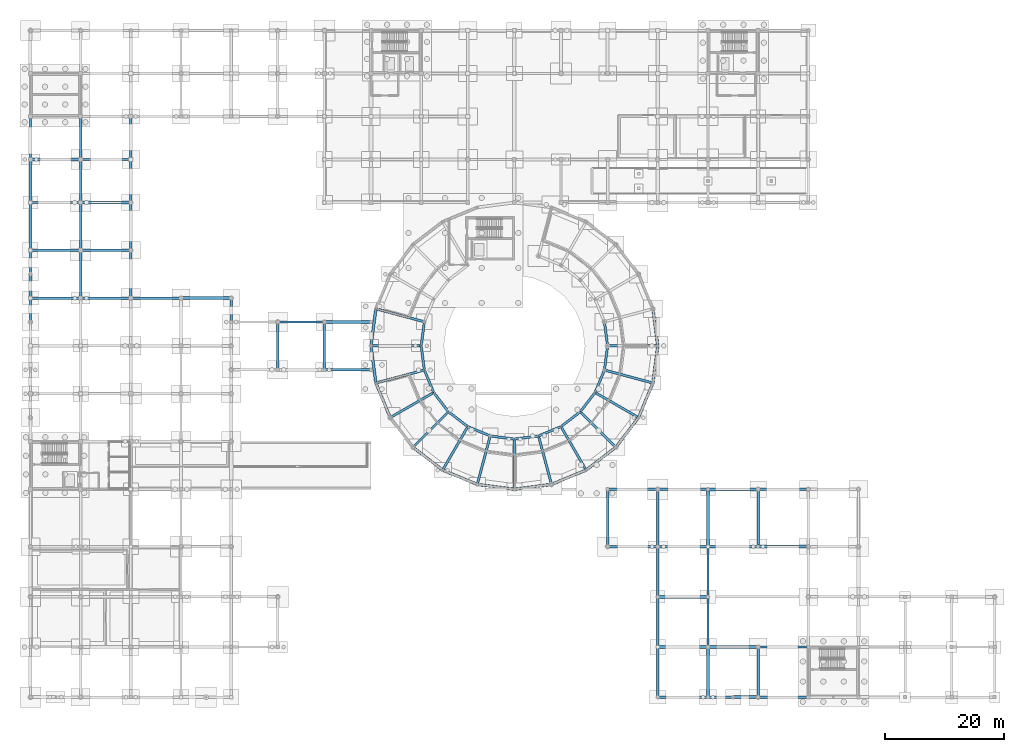
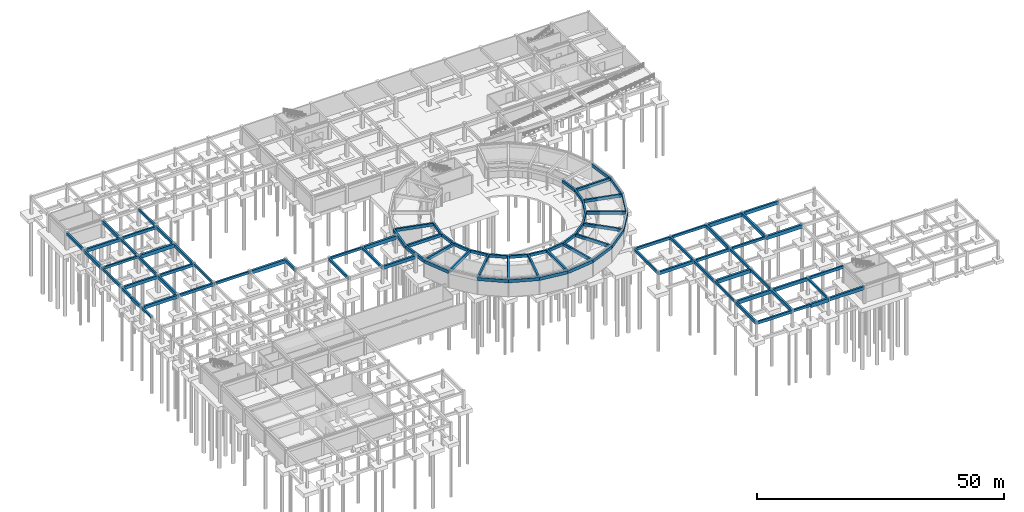
# One storey, part 25 of 43: 98 beams.
"""IFC4 building model written with IfcOpenShell, lengths in metres."""

from ifc_helpers import new_model, si_unit, derived_unit, direction, frame, origin, origin_2d, place, context, subcontext, project, spatial, rectangle, extrude, material, material_profile, profile_set, type_object, element, save


model = new_model("IFC4")

# Units and contexts
model_context = context("Model", 3, precision=1e-05, world=origin(), true_north=direction((0.0, 1.0)))
body_context = subcontext(model_context, "Body", "Model", "MODEL_VIEW")
ifc_project = project(units=[si_unit("LENGTHUNIT", "METRE"), si_unit("AREAUNIT", "SQUARE_METRE"), si_unit("VOLUMEUNIT", "CUBIC_METRE"), si_unit("PLANEANGLEUNIT", "RADIAN"), si_unit("MASSUNIT", "GRAM", prefix="KILO"), derived_unit("THERMALTRANSMITTANCEUNIT", [(si_unit("POWERUNIT", "WATT"), 1), (si_unit("AREAUNIT", "SQUARE_METRE"), -1), (si_unit("THERMODYNAMICTEMPERATUREUNIT", "KELVIN"), -1)])], contexts=[model_context])

# Site, building, storey
site_placement = place(None, origin())
site = spatial("IfcSite", under=ifc_project, at=site_placement, CompositionType="ELEMENT")
building_placement = place(site_placement, origin())
building = spatial("IfcBuilding", under=site, at=building_placement, Name="Yasenodar Specialist Clinic", CompositionType="ELEMENT")
storey_placement = place(building_placement, frame((0.0, 0.0, -4.5)))
storey = spatial("IfcBuildingStorey", under=building, at=storey_placement, Name="B1", CompositionType="ELEMENT", Elevation=-4.5)

# Beams
ifc_material = material(Name="Concrete C35/45", Category="concrete")
ifc_material_profile_1 = material_profile(ifc_material, rectangle(XDim=0.39990234375, YDim=0.60009765625, at=origin_2d()), Name="RC 400x600")
ifc_profile_set_1 = profile_set([ifc_material_profile_1], Name="Concrete C35/45")
beam_type_1 = type_object("IfcBeamType", Name="BM-RC-400x600", PredefinedType="BEAM", material=ifc_profile_set_1)
beam_1_placement = place(storey_placement, frame((113.39990234375, 0.0, 3.93505859375), z_axis=(1.0, 0.0, 0.0), x_axis=(0.0, 1.0, 0.0)))
element("IfcBeam", 1, at=beam_1_placement, inside=storey, type_object=beam_type_1, Name="B1 Primary E-W Girder", PredefinedType="BEAM", context=body_context, shape_type="SweptSolid", body=[
    extrude(rectangle(XDim=0.39990234375, YDim=0.60009765625, at=origin_2d()), origin(), (0.0, 0.0, 1.0), 4.2001953125),
])
beam_2_placement = place(storey_placement, frame((113.39990234375, 25.199951171875, 3.93505859375), z_axis=(1.0, 0.0, 0.0), x_axis=(0.0, 1.0, 0.0)))
element("IfcBeam", 2, at=beam_2_placement, inside=storey, type_object=beam_type_1, Name="B1 Primary E-W Girder", PredefinedType="BEAM", context=body_context, shape_type="SweptSolid", body=[
    extrude(rectangle(XDim=0.39990234375, YDim=0.60009765625, at=origin_2d()), origin(), (0.0, 0.0, 1.0), 8.400146484375),
])
beam_3_placement = place(storey_placement, frame((105.0, 34.800048828125, 3.93505859375), z_axis=(1.0, 0.0, 0.0), x_axis=(0.0, 1.0, 0.0)))
element("IfcBeam", 3, at=beam_3_placement, inside=storey, type_object=beam_type_1, Name="B1 Primary E-W Girder", PredefinedType="BEAM", context=body_context, shape_type="SweptSolid", body=[
    extrude(rectangle(XDim=0.39990234375, YDim=0.60009765625, at=origin_2d()), origin(), (0.0, 0.0, 1.0), 8.39990234375),
])
beam_4_placement = place(storey_placement, frame((41.39990234375, 62.800048828125, 3.93505859375), z_axis=(1.0, 0.0, 0.0), x_axis=(0.0, 1.0, 0.0)))
element("IfcBeam", 4, at=beam_4_placement, inside=storey, type_object=beam_type_1, Name="B1 Primary E-W Girder", PredefinedType="BEAM", context=body_context, shape_type="SweptSolid", body=[
    extrude(rectangle(XDim=0.39990234375, YDim=0.60009765625, at=origin_2d()), origin(), (0.0, 0.0, 1.0), 7.800048828125),
])
for number, where, z_axis, x_axis, name in (
    (5, (16.800048828125, 66.800048828125, 3.93505859375), (1.0, 0.0, 0.0), (0.0, 1.0, 0.0), "B1 Primary E-W Girder"),
    (6, (0.0, 82.800048828125, 3.93505859375), (1.0, 0.0, 0.0), (0.0, 1.0, 0.0), "B1 Primary E-W Girder"),
):
    element("IfcBeam", number, at=place(storey_placement, frame(where, z_axis=z_axis, x_axis=x_axis)), inside=storey, type_object=beam_type_1, Name=name, PredefinedType="BEAM", context=body_context, shape_type="SweptSolid", body=[
        extrude(rectangle(XDim=0.39990234375, YDim=0.60009765625, at=origin_2d()), origin(), (0.0, 0.0, 1.0), 8.39990234375),
    ])
beam_5_placement = place(storey_placement, frame((0.0, 62.800048828125, 3.93505859375), z_axis=(0.0, 1.0, 0.0), x_axis=(-1.0, 0.0, 0.0)))
element("IfcBeam", 7, at=beam_5_placement, inside=storey, type_object=beam_type_1, Name="B1 Primary N-S Girder", PredefinedType="BEAM", context=body_context, shape_type="SweptSolid", body=[
    extrude(rectangle(XDim=0.39990234375, YDim=0.60009765625, at=origin_2d()), origin(), (0.0, 0.0, 1.0), 4.0),
])
beam_6_placement = place(storey_placement, frame((0.0, 74.800048828125, 3.93505859375), z_axis=(0.0, 1.0, 0.0), x_axis=(-1.0, 0.0, 0.0)))
element("IfcBeam", 8, at=beam_6_placement, inside=storey, type_object=beam_type_1, Name="B1 Primary N-S Girder", PredefinedType="BEAM", context=body_context, shape_type="SweptSolid", body=[
    extrude(rectangle(XDim=0.39990234375, YDim=0.60009765625, at=origin_2d()), origin(), (0.0, 0.0, 1.0), 8.0),
])
beam_7_placement = place(storey_placement, frame((8.39990234375, 82.800048828125, 3.93505859375), z_axis=(0.0, 1.0, 0.0), x_axis=(-1.0, 0.0, 0.0)))
element("IfcBeam", 9, at=beam_7_placement, inside=storey, type_object=beam_type_1, Name="B1 Primary N-S Girder", PredefinedType="BEAM", context=body_context, shape_type="SweptSolid", body=[
    extrude(rectangle(XDim=0.39990234375, YDim=0.60009765625, at=origin_2d()), origin(), (0.0, 0.0, 1.0), 7.199951171875),
])
beam_8_placement = place(storey_placement, frame((16.800048828125, 66.800048828125, 3.93505859375), z_axis=(0.0, 1.0, 0.0), x_axis=(-1.0, 0.0, 0.0)))
element("IfcBeam", 10, at=beam_8_placement, inside=storey, type_object=beam_type_1, Name="B1 Primary N-S Girder", PredefinedType="BEAM", context=body_context, shape_type="SweptSolid", body=[
    extrude(rectangle(XDim=0.39990234375, YDim=0.60009765625, at=origin_2d()), origin(), (0.0, 0.0, 1.0), 8.0),
])
beam_9_placement = place(storey_placement, frame((16.800048828125, 90.0, 3.93505859375), z_axis=(0.0, 1.0, 0.0), x_axis=(-1.0, 0.0, 0.0)))
element("IfcBeam", 11, at=beam_9_placement, inside=storey, type_object=beam_type_1, Name="B1 Primary N-S Girder", PredefinedType="BEAM", context=body_context, shape_type="SweptSolid", body=[
    extrude(rectangle(XDim=0.39990234375, YDim=0.60009765625, at=origin_2d()), origin(), (0.0, 0.0, 1.0), 7.199951171875),
])
beam_10_placement = place(storey_placement, frame((105.0, 8.39990234375, 3.93505859375), z_axis=(0.0, 1.0, 0.0), x_axis=(-1.0, 0.0, 0.0)))
element("IfcBeam", 12, at=beam_10_placement, inside=storey, type_object=beam_type_1, Name="B1 Primary N-S Girder", PredefinedType="BEAM", context=body_context, shape_type="SweptSolid", body=[
    extrude(rectangle(XDim=0.39990234375, YDim=0.60009765625, at=origin_2d()), origin(), (0.0, 0.0, 1.0), 8.400146484375),
])
for number, where, z_axis, x_axis, name in (
    (13, (113.39990234375, 16.800048828125, 3.93505859375), (0.0, 1.0, 0.0), (-1.0, 0.0, 0.0), "B1 Primary N-S Girder"),
    (14, (121.800048828125, 0.0, 3.93505859375), (0.0, 1.0, 0.0), (-1.0, 0.0, 0.0), "B1 Primary N-S Girder"),
):
    element("IfcBeam", number, at=place(storey_placement, frame(where, z_axis=z_axis, x_axis=x_axis)), inside=storey, type_object=beam_type_1, Name=name, PredefinedType="BEAM", context=body_context, shape_type="SweptSolid", body=[
        extrude(rectangle(XDim=0.39990234375, YDim=0.60009765625, at=origin_2d()), origin(), (0.0, 0.0, 1.0), 8.39990234375),
    ])
ifc_material_profile_2 = material_profile(ifc_material, rectangle(XDim=0.39990234375, YDim=0.699951171875, at=origin_2d()), Name="RC 400x700")
ifc_profile_set_2 = profile_set([ifc_material_profile_2], Name="Concrete C35/45")
beam_type_2 = type_object("IfcBeamType", Name="BM-RC-400x700", PredefinedType="BEAM", material=ifc_profile_set_2)
for number, where, z_axis, x_axis, name in (
    (15, (105.0, 0.0, 3.885009765625), (1.0, 0.0, 0.0), (0.0, 1.0, 0.0), "B1 Primary E-W Girder"),
    (16, (121.800048828125, 8.39990234375, 3.885009765625), (1.0, 0.0, 0.0), (0.0, 1.0, 0.0), "B1 Primary E-W Girder"),
    (17, (105.0, 25.199951171875, 3.885009765625), (1.0, 0.0, 0.0), (0.0, 1.0, 0.0), "B1 Primary E-W Girder"),
    (18, (96.60009765625, 34.800048828125, 3.885009765625), (1.0, 0.0, 0.0), (0.0, 1.0, 0.0), "B1 Primary E-W Girder"),
):
    element("IfcBeam", number, at=place(storey_placement, frame(where, z_axis=z_axis, x_axis=x_axis)), inside=storey, type_object=beam_type_2, Name=name, PredefinedType="BEAM", context=body_context, shape_type="SweptSolid", body=[
        extrude(rectangle(XDim=0.39990234375, YDim=0.699951171875, at=origin_2d()), origin(), (0.0, 0.0, 1.0), 8.39990234375),
    ])
for number, where, z_axis, x_axis, name in (
    (19, (8.39990234375, 66.800048828125, 3.885009765625), (1.0, 0.0, 0.0), (0.0, 1.0, 0.0), "B1 Primary E-W Girder"),
    (20, (8.39990234375, 74.800048828125, 3.885009765625), (1.0, 0.0, 0.0), (0.0, 1.0, 0.0), "B1 Primary E-W Girder"),
    (21, (8.39990234375, 90.0, 3.885009765625), (1.0, 0.0, 0.0), (0.0, 1.0, 0.0), "B1 Primary E-W Girder"),
):
    element("IfcBeam", number, at=place(storey_placement, frame(where, z_axis=z_axis, x_axis=x_axis)), inside=storey, type_object=beam_type_2, Name=name, PredefinedType="BEAM", context=body_context, shape_type="SweptSolid", body=[
        extrude(rectangle(XDim=0.39990234375, YDim=0.699951171875, at=origin_2d()), origin(), (0.0, 0.0, 1.0), 8.400146484375),
    ])
beam_11_placement = place(storey_placement, frame((0.0, 70.800048828125, 3.885009765625), z_axis=(0.0, 1.0, 0.0), x_axis=(-1.0, 0.0, 0.0)))
element("IfcBeam", 22, at=beam_11_placement, inside=storey, type_object=beam_type_2, Name="B1 Primary N-S Girder", PredefinedType="BEAM", context=body_context, shape_type="SweptSolid", body=[
    extrude(rectangle(XDim=0.39990234375, YDim=0.699951171875, at=origin_2d()), origin(), (0.0, 0.0, 1.0), 4.0),
])
beam_12_placement = place(storey_placement, frame((0.0, 90.0, 3.885009765625), z_axis=(0.0, 1.0, 0.0), x_axis=(-1.0, 0.0, 0.0)))
element("IfcBeam", 23, at=beam_12_placement, inside=storey, type_object=beam_type_2, Name="B1 Primary N-S Girder", PredefinedType="BEAM", context=body_context, shape_type="SweptSolid", body=[
    extrude(rectangle(XDim=0.39990234375, YDim=0.699951171875, at=origin_2d()), origin(), (0.0, 0.0, 1.0), 7.199951171875),
])
beam_13_placement = place(storey_placement, frame((8.39990234375, 74.800048828125, 3.885009765625), z_axis=(0.0, 1.0, 0.0), x_axis=(-1.0, 0.0, 0.0)))
element("IfcBeam", 24, at=beam_13_placement, inside=storey, type_object=beam_type_2, Name="B1 Primary N-S Girder", PredefinedType="BEAM", context=body_context, shape_type="SweptSolid", body=[
    extrude(rectangle(XDim=0.39990234375, YDim=0.699951171875, at=origin_2d()), origin(), (0.0, 0.0, 1.0), 8.0),
])
beam_14_placement = place(storey_placement, frame((16.800048828125, 82.800048828125, 3.885009765625), z_axis=(0.0, 1.0, 0.0), x_axis=(-1.0, 0.0, 0.0)))
element("IfcBeam", 25, at=beam_14_placement, inside=storey, type_object=beam_type_2, Name="B1 Primary N-S Girder", PredefinedType="BEAM", context=body_context, shape_type="SweptSolid", body=[
    extrude(rectangle(XDim=0.39990234375, YDim=0.699951171875, at=origin_2d()), origin(), (0.0, 0.0, 1.0), 7.199951171875),
])
for number, where, z_axis, x_axis, name in (
    (26, (41.39990234375, 54.800048828125, 3.885009765625), (0.0, 1.0, 0.0), (-1.0, 0.0, 0.0), "B1 Primary N-S Girder"),
    (27, (49.199951171875, 54.800048828125, 3.885009765625), (0.0, 1.0, 0.0), (-1.0, 0.0, 0.0), "B1 Primary N-S Girder"),
):
    element("IfcBeam", number, at=place(storey_placement, frame(where, z_axis=z_axis, x_axis=x_axis)), inside=storey, type_object=beam_type_2, Name=name, PredefinedType="BEAM", context=body_context, shape_type="SweptSolid", body=[
        extrude(rectangle(XDim=0.39990234375, YDim=0.699951171875, at=origin_2d()), origin(), (0.0, 0.0, 1.0), 8.0),
    ])
beam_15_placement = place(storey_placement, frame((96.60009765625, 25.199951171875, 3.885009765625), z_axis=(0.0, 1.0, 0.0), x_axis=(-1.0, 0.0, 0.0)))
element("IfcBeam", 28, at=beam_15_placement, inside=storey, type_object=beam_type_2, Name="B1 Primary N-S Girder", PredefinedType="BEAM", context=body_context, shape_type="SweptSolid", body=[
    extrude(rectangle(XDim=0.39990234375, YDim=0.699951171875, at=origin_2d()), origin(), (0.0, 0.0, 1.0), 9.60009765625),
])
beam_16_placement = place(storey_placement, frame((105.0, 0.0, 3.885009765625), z_axis=(0.0, 1.0, 0.0), x_axis=(-1.0, 0.0, 0.0)))
element("IfcBeam", 29, at=beam_16_placement, inside=storey, type_object=beam_type_2, Name="B1 Primary N-S Girder", PredefinedType="BEAM", context=body_context, shape_type="SweptSolid", body=[
    extrude(rectangle(XDim=0.39990234375, YDim=0.699951171875, at=origin_2d()), origin(), (0.0, 0.0, 1.0), 8.39990234375),
])
beam_17_placement = place(storey_placement, frame((105.0, 25.199951171875, 3.885009765625), z_axis=(0.0, 1.0, 0.0), x_axis=(-1.0, 0.0, 0.0)))
element("IfcBeam", 30, at=beam_17_placement, inside=storey, type_object=beam_type_2, Name="B1 Primary N-S Girder", PredefinedType="BEAM", context=body_context, shape_type="SweptSolid", body=[
    extrude(rectangle(XDim=0.39990234375, YDim=0.699951171875, at=origin_2d()), origin(), (0.0, 0.0, 1.0), 9.60009765625),
])
beam_18_placement = place(storey_placement, frame((113.39990234375, 8.39990234375, 3.885009765625), z_axis=(0.0, 1.0, 0.0), x_axis=(-1.0, 0.0, 0.0)))
element("IfcBeam", 31, at=beam_18_placement, inside=storey, type_object=beam_type_2, Name="B1 Primary N-S Girder", PredefinedType="BEAM", context=body_context, shape_type="SweptSolid", body=[
    extrude(rectangle(XDim=0.39990234375, YDim=0.699951171875, at=origin_2d()), origin(), (0.0, 0.0, 1.0), 8.400146484375),
])
for number, where, z_axis, x_axis, name in (
    (32, (96.60009765625, 58.800048828125, 3.885009765625), (-0.130569268018, 0.991439189385, 0.0), (-0.991439189385, -0.130569268018, 0.0), "B1 Drum V1 Inner Ring Beam"),
    (33, (65.931640625, 62.837646484375, 3.885009765625), (-0.130569268018, -0.991439189385, 0.0), (0.991439189385, -0.130569268018, 0.0), "B1 Drum V1 Inner Ring Beam"),
    (34, (65.39990234375, 58.800048828125, 3.885009765625), (0.130569268018, -0.991439189385, 0.0), (0.991439189385, 0.130569268018, 0.0), "B1 Drum V1 Inner Ring Beam"),
    (35, (65.931640625, 54.762451171875, 3.885009765625), (0.382660650645, -0.92388896868, 0.0), (0.92388896868, 0.382660650645, 0.0), "B1 Drum V1 Inner Ring Beam"),
    (36, (67.489990234375, 51.0, 3.885009765625), (0.608731039936, -0.793376657722, 0.0), (0.793376657722, 0.608731039936, 0.0), "B1 Drum V1 Inner Ring Beam"),
    (37, (69.968994140625, 47.76904296875, 3.885009765625), (0.793376657722, -0.608731039936, 0.0), (0.608731039936, 0.793376657722, 0.0), "B1 Drum V1 Inner Ring Beam"),
    (38, (73.199951171875, 45.2900390625, 3.885009765625), (0.92388896868, -0.382660650645, 0.0), (0.382660650645, 0.92388896868, 0.0), "B1 Drum V1 Inner Ring Beam"),
    (39, (76.96240234375, 43.731689453125, 3.885009765625), (0.991439189385, -0.130569268018, 0.0), (0.130569268018, 0.991439189385, 0.0), "B1 Drum V1 Inner Ring Beam"),
    (40, (81.0, 43.199951171875, 3.885009765625), (0.991439189385, 0.130569268018, 0.0), (-0.130569268018, 0.991439189385, 0.0), "B1 Drum V1 Inner Ring Beam"),
    (41, (85.03759765625, 43.731689453125, 3.885009765625), (0.92388896868, 0.382660650645, 0.0), (-0.382660650645, 0.92388896868, 0.0), "B1 Drum V1 Inner Ring Beam"),
    (42, (88.800048828125, 45.2900390625, 3.885009765625), (0.793376657722, 0.608731039936, 0.0), (-0.608731039936, 0.793376657722, 0.0), "B1 Drum V1 Inner Ring Beam"),
    (43, (92.031005859375, 47.76904296875, 3.885009765625), (0.608731039936, 0.793376657722, 0.0), (-0.793376657722, 0.608731039936, 0.0), "B1 Drum V1 Inner Ring Beam"),
    (44, (94.510009765625, 51.0, 3.885009765625), (0.382660650645, 0.92388896868, 0.0), (-0.92388896868, 0.382660650645, 0.0), "B1 Drum V1 Inner Ring Beam"),
    (45, (96.068359375, 54.762451171875, 3.885009765625), (0.130569268018, 0.991439189385, 0.0), (-0.991439189385, 0.130569268018, 0.0), "B1 Drum V1 Inner Ring Beam"),
):
    element("IfcBeam", number, at=place(storey_placement, frame(where, z_axis=z_axis, x_axis=x_axis)), inside=storey, type_object=beam_type_2, Name=name, PredefinedType="BEAM", context=body_context, shape_type="SweptSolid", body=[
        extrude(rectangle(XDim=0.39990234375, YDim=0.699951171875, at=origin_2d()), origin(), (0.0, 0.0, 1.0), 4.072509765625),
    ])
for number, where, z_axis, x_axis, name in (
    (46, (96.60009765625, 58.800048828125, 3.885009765625), (1.0, 0.0, 0.0), (0.0, 1.0, 0.0), "B1 Drum V1 Radial Beam"),
    (47, (65.931640625, 62.837646484375, 3.885009765625), (-0.965925996761, 0.258818408893, 0.0), (-0.258818408893, -0.965925996761, 0.0), "B1 Drum V1 Radial Beam"),
    (48, (65.39990234375, 58.800048828125, 3.885009765625), (-1.0, 0.0, 0.0), (0.0, -1.0, 0.0), "B1 Drum V1 Radial Beam"),
    (49, (65.931640625, 54.762451171875, 3.885009765625), (-0.965925996761, -0.258818408893, 0.0), (0.258818408893, -0.965925996761, 0.0), "B1 Drum V1 Radial Beam"),
    (50, (67.489990234375, 51.0, 3.885009765625), (-0.86602925447, -0.499993330357, 0.0), (0.499993330357, -0.86602925447, 0.0), "B1 Drum V1 Radial Beam"),
    (51, (69.968994140625, 47.76904296875, 3.885009765625), (-0.707106781187, -0.707106781187, 0.0), (0.707106781187, -0.707106781187, 0.0), "B1 Drum V1 Radial Beam"),
    (52, (73.199951171875, 45.2900390625, 3.885009765625), (-0.499993330357, -0.86602925447, 0.0), (0.86602925447, -0.499993330357, 0.0), "B1 Drum V1 Radial Beam"),
    (53, (76.96240234375, 43.731689453125, 3.885009765625), (-0.258818408893, -0.965925996761, 0.0), (0.965925996761, -0.258818408893, 0.0), "B1 Drum V1 Radial Beam"),
    (54, (81.0, 43.199951171875, 3.885009765625), (0.0, -1.0, 0.0), (1.0, 0.0, 0.0), "B1 Drum V1 Radial Beam"),
    (55, (85.03759765625, 43.731689453125, 3.885009765625), (0.258818408893, -0.965925996761, 0.0), (0.965925996761, 0.258818408893, 0.0), "B1 Drum V1 Radial Beam"),
    (56, (88.800048828125, 45.2900390625, 3.885009765625), (0.499993330357, -0.86602925447, 0.0), (0.86602925447, 0.499993330357, 0.0), "B1 Drum V1 Radial Beam"),
    (57, (92.031005859375, 47.76904296875, 3.885009765625), (0.707106781187, -0.707106781187, 0.0), (0.707106781187, 0.707106781187, 0.0), "B1 Drum V1 Radial Beam"),
    (58, (94.510009765625, 51.0, 3.885009765625), (0.86602925447, -0.499993330357, 0.0), (0.499993330357, 0.86602925447, 0.0), "B1 Drum V1 Radial Beam"),
    (59, (96.068359375, 54.762451171875, 3.885009765625), (0.965925996761, -0.258818408893, 0.0), (0.258818408893, 0.965925996761, 0.0), "B1 Drum V1 Radial Beam"),
):
    element("IfcBeam", number, at=place(storey_placement, frame(where, z_axis=z_axis, x_axis=x_axis)), inside=storey, type_object=beam_type_2, Name=name, PredefinedType="BEAM", context=body_context, shape_type="SweptSolid", body=[
        extrude(rectangle(XDim=0.39990234375, YDim=0.699951171875, at=origin_2d()), origin(), (0.0, 0.0, 1.0), 8.39990234375),
    ])
ifc_material_profile_3 = material_profile(ifc_material, rectangle(XDim=0.449951171875, YDim=0.800048828125, at=origin_2d()), Name="RC 450x800")
ifc_profile_set_3 = profile_set([ifc_material_profile_3], Name="Concrete C35/45")
beam_type_3 = type_object("IfcBeamType", Name="BM-RC-450x800", PredefinedType="BEAM", material=ifc_profile_set_3)
beam_19_placement = place(storey_placement, frame((121.800048828125, 0.0, 3.8349609375), z_axis=(1.0, 0.0, 0.0), x_axis=(0.0, 1.0, 0.0)))
element("IfcBeam", 60, at=beam_19_placement, inside=storey, type_object=beam_type_3, Name="B1 Primary E-W Girder", PredefinedType="BEAM", context=body_context, shape_type="SweptSolid", body=[
    extrude(rectangle(XDim=0.449951171875, YDim=0.800048828125, at=origin_2d()), origin(), (0.0, 0.0, 1.0), 8.39990234375),
])
beam_20_placement = place(storey_placement, frame((113.39990234375, 8.39990234375, 3.8349609375), z_axis=(1.0, 0.0, 0.0), x_axis=(0.0, 1.0, 0.0)))
element("IfcBeam", 61, at=beam_20_placement, inside=storey, type_object=beam_type_3, Name="B1 Primary E-W Girder", PredefinedType="BEAM", context=body_context, shape_type="SweptSolid", body=[
    extrude(rectangle(XDim=0.449951171875, YDim=0.800048828125, at=origin_2d()), origin(), (0.0, 0.0, 1.0), 8.400146484375),
])
for number, where, z_axis, x_axis, name in (
    (62, (96.60009765625, 25.199951171875, 3.8349609375), (1.0, 0.0, 0.0), (0.0, 1.0, 0.0), "B1 Primary E-W Girder"),
    (63, (121.800048828125, 34.800048828125, 3.8349609375), (1.0, 0.0, 0.0), (0.0, 1.0, 0.0), "B1 Primary E-W Girder"),
):
    element("IfcBeam", number, at=place(storey_placement, frame(where, z_axis=z_axis, x_axis=x_axis)), inside=storey, type_object=beam_type_3, Name=name, PredefinedType="BEAM", context=body_context, shape_type="SweptSolid", body=[
        extrude(rectangle(XDim=0.449951171875, YDim=0.800048828125, at=origin_2d()), origin(), (0.0, 0.0, 1.0), 8.39990234375),
    ])
beam_21_placement = place(storey_placement, frame((49.199951171875, 54.800048828125, 3.8349609375), z_axis=(1.0, 0.0, 0.0), x_axis=(0.0, 1.0, 0.0)))
element("IfcBeam", 64, at=beam_21_placement, inside=storey, type_object=beam_type_3, Name="B1 Primary E-W Girder", PredefinedType="BEAM", context=body_context, shape_type="SweptSolid", body=[
    extrude(rectangle(XDim=0.449951171875, YDim=0.800048828125, at=origin_2d()), origin(), (0.0, 0.0, 1.0), 7.800048828125),
])
for number, where, z_axis, x_axis, name in (
    (65, (0.0, 66.800048828125, 3.8349609375), (1.0, 0.0, 0.0), (0.0, 1.0, 0.0), "B1 Primary E-W Girder"),
    (66, (0.0, 74.800048828125, 3.8349609375), (1.0, 0.0, 0.0), (0.0, 1.0, 0.0), "B1 Primary E-W Girder"),
    (67, (0.0, 90.0, 3.8349609375), (1.0, 0.0, 0.0), (0.0, 1.0, 0.0), "B1 Primary E-W Girder"),
):
    element("IfcBeam", number, at=place(storey_placement, frame(where, z_axis=z_axis, x_axis=x_axis)), inside=storey, type_object=beam_type_3, Name=name, PredefinedType="BEAM", context=body_context, shape_type="SweptSolid", body=[
        extrude(rectangle(XDim=0.449951171875, YDim=0.800048828125, at=origin_2d()), origin(), (0.0, 0.0, 1.0), 8.39990234375),
    ])
beam_22_placement = place(storey_placement, frame((0.0, 66.800048828125, 3.8349609375), z_axis=(0.0, 1.0, 0.0), x_axis=(-1.0, 0.0, 0.0)))
element("IfcBeam", 68, at=beam_22_placement, inside=storey, type_object=beam_type_3, Name="B1 Primary N-S Girder", PredefinedType="BEAM", context=body_context, shape_type="SweptSolid", body=[
    extrude(rectangle(XDim=0.449951171875, YDim=0.800048828125, at=origin_2d()), origin(), (0.0, 0.0, 1.0), 4.0),
])
beam_23_placement = place(storey_placement, frame((0.0, 82.800048828125, 3.8349609375), z_axis=(0.0, 1.0, 0.0), x_axis=(-1.0, 0.0, 0.0)))
element("IfcBeam", 69, at=beam_23_placement, inside=storey, type_object=beam_type_3, Name="B1 Primary N-S Girder", PredefinedType="BEAM", context=body_context, shape_type="SweptSolid", body=[
    extrude(rectangle(XDim=0.449951171875, YDim=0.800048828125, at=origin_2d()), origin(), (0.0, 0.0, 1.0), 7.199951171875),
])
beam_24_placement = place(storey_placement, frame((8.39990234375, 66.800048828125, 3.8349609375), z_axis=(0.0, 1.0, 0.0), x_axis=(-1.0, 0.0, 0.0)))
element("IfcBeam", 70, at=beam_24_placement, inside=storey, type_object=beam_type_3, Name="B1 Primary N-S Girder", PredefinedType="BEAM", context=body_context, shape_type="SweptSolid", body=[
    extrude(rectangle(XDim=0.449951171875, YDim=0.800048828125, at=origin_2d()), origin(), (0.0, 0.0, 1.0), 8.0),
])
beam_25_placement = place(storey_placement, frame((8.39990234375, 90.0, 3.8349609375), z_axis=(0.0, 1.0, 0.0), x_axis=(-1.0, 0.0, 0.0)))
element("IfcBeam", 71, at=beam_25_placement, inside=storey, type_object=beam_type_3, Name="B1 Primary N-S Girder", PredefinedType="BEAM", context=body_context, shape_type="SweptSolid", body=[
    extrude(rectangle(XDim=0.449951171875, YDim=0.800048828125, at=origin_2d()), origin(), (0.0, 0.0, 1.0), 7.199951171875),
])
beam_26_placement = place(storey_placement, frame((16.800048828125, 74.800048828125, 3.8349609375), z_axis=(0.0, 1.0, 0.0), x_axis=(-1.0, 0.0, 0.0)))
element("IfcBeam", 72, at=beam_26_placement, inside=storey, type_object=beam_type_3, Name="B1 Primary N-S Girder", PredefinedType="BEAM", context=body_context, shape_type="SweptSolid", body=[
    extrude(rectangle(XDim=0.449951171875, YDim=0.800048828125, at=origin_2d()), origin(), (0.0, 0.0, 1.0), 8.0),
])
beam_27_placement = place(storey_placement, frame((33.60009765625, 62.800048828125, 3.8349609375), z_axis=(0.0, 1.0, 0.0), x_axis=(-1.0, 0.0, 0.0)))
element("IfcBeam", 73, at=beam_27_placement, inside=storey, type_object=beam_type_3, Name="B1 Primary N-S Girder", PredefinedType="BEAM", context=body_context, shape_type="SweptSolid", body=[
    extrude(rectangle(XDim=0.449951171875, YDim=0.800048828125, at=origin_2d()), origin(), (0.0, 0.0, 1.0), 4.0),
])
for number, where, z_axis, x_axis, name in (
    (74, (105.0, 16.800048828125, 3.8349609375), (0.0, 1.0, 0.0), (-1.0, 0.0, 0.0), "B1 Primary N-S Girder"),
    (75, (113.39990234375, 0.0, 3.8349609375), (0.0, 1.0, 0.0), (-1.0, 0.0, 0.0), "B1 Primary N-S Girder"),
):
    element("IfcBeam", number, at=place(storey_placement, frame(where, z_axis=z_axis, x_axis=x_axis)), inside=storey, type_object=beam_type_3, Name=name, PredefinedType="BEAM", context=body_context, shape_type="SweptSolid", body=[
        extrude(rectangle(XDim=0.449951171875, YDim=0.800048828125, at=origin_2d()), origin(), (0.0, 0.0, 1.0), 8.39990234375),
    ])
for number, where, z_axis, x_axis, name in (
    (76, (113.39990234375, 25.199951171875, 3.8349609375), (0.0, 1.0, 0.0), (-1.0, 0.0, 0.0), "B1 Primary N-S Girder"),
    (77, (121.800048828125, 25.199951171875, 3.8349609375), (0.0, 1.0, 0.0), (-1.0, 0.0, 0.0), "B1 Primary N-S Girder"),
):
    element("IfcBeam", number, at=place(storey_placement, frame(where, z_axis=z_axis, x_axis=x_axis)), inside=storey, type_object=beam_type_3, Name=name, PredefinedType="BEAM", context=body_context, shape_type="SweptSolid", body=[
        extrude(rectangle(XDim=0.449951171875, YDim=0.800048828125, at=origin_2d()), origin(), (0.0, 0.0, 1.0), 9.60009765625),
    ])
for number, where, z_axis, x_axis, name in (
    (78, (105.0, 58.800048828125, 3.8349609375), (-0.130540192224, 0.991443018138, 0.0), (-0.991443018138, -0.130540192224, 0.0), "B1 Drum V1 Perimeter Ring Beam"),
    (79, (57.81787109375, 65.01171875, 3.8349609375), (-0.130540192224, -0.991443018138, 0.0), (0.991443018138, -0.130540192224, 0.0), "B1 Drum V1 Perimeter Ring Beam"),
    (80, (57.0, 58.800048828125, 3.8349609375), (0.130540192224, -0.991443018138, 0.0), (0.991443018138, 0.130540192224, 0.0), "B1 Drum V1 Perimeter Ring Beam"),
):
    element("IfcBeam", number, at=place(storey_placement, frame(where, z_axis=z_axis, x_axis=x_axis)), inside=storey, type_object=beam_type_3, Name=name, PredefinedType="BEAM", context=body_context, shape_type="SweptSolid", body=[
        extrude(rectangle(XDim=0.449951171875, YDim=0.800048828125, at=origin_2d()), origin(), (0.0, 0.0, 1.0), 6.265380859375),
    ])
beam_28_placement = place(storey_placement, frame((57.81787109375, 52.58837890625, 3.8349609375), z_axis=(0.382663829839, -0.9238876519, 0.0), x_axis=(0.9238876519, 0.382663829839, 0.0)))
element("IfcBeam", 81, at=beam_28_placement, inside=storey, type_object=beam_type_3, Name="B1 Drum V1 Perimeter Ring Beam", PredefinedType="BEAM", context=body_context, shape_type="SweptSolid", body=[
    extrude(rectangle(XDim=0.449951171875, YDim=0.800048828125, at=origin_2d()), origin(), (0.0, 0.0, 1.0), 6.26513671875),
])
beam_29_placement = place(storey_placement, frame((64.029296875, 41.829345703125, 3.8349609375), z_axis=(0.793367971845, -0.608742360322, 0.0), x_axis=(0.608742360322, 0.793367971845, 0.0)))
element("IfcBeam", 82, at=beam_29_placement, inside=storey, type_object=beam_type_3, Name="B1 Drum V1 Perimeter Ring Beam", PredefinedType="BEAM", context=body_context, shape_type="SweptSolid", body=[
    extrude(rectangle(XDim=0.449951171875, YDim=0.800048828125, at=origin_2d()), origin(), (0.0, 0.0, 1.0), 6.265380859375),
])
beam_30_placement = place(storey_placement, frame((69.0, 38.015380859375, 3.8349609375), z_axis=(0.9238876519, -0.382663829839, 0.0), x_axis=(0.382663829839, 0.9238876519, 0.0)))
element("IfcBeam", 83, at=beam_30_placement, inside=storey, type_object=beam_type_3, Name="B1 Drum V1 Perimeter Ring Beam", PredefinedType="BEAM", context=body_context, shape_type="SweptSolid", body=[
    extrude(rectangle(XDim=0.449951171875, YDim=0.800048828125, at=origin_2d()), origin(), (0.0, 0.0, 1.0), 6.26513671875),
])
for number, where, z_axis, x_axis, name in (
    (84, (74.788330078125, 35.617919921875, 3.8349609375), (0.991443018138, -0.130540192224, 0.0), (0.130540192224, 0.991443018138, 0.0), "B1 Drum V1 Perimeter Ring Beam"),
    (85, (81.0, 34.800048828125, 3.8349609375), (0.991443018138, 0.130540192224, 0.0), (-0.130540192224, 0.991443018138, 0.0), "B1 Drum V1 Perimeter Ring Beam"),
):
    element("IfcBeam", number, at=place(storey_placement, frame(where, z_axis=z_axis, x_axis=x_axis)), inside=storey, type_object=beam_type_3, Name=name, PredefinedType="BEAM", context=body_context, shape_type="SweptSolid", body=[
        extrude(rectangle(XDim=0.449951171875, YDim=0.800048828125, at=origin_2d()), origin(), (0.0, 0.0, 1.0), 6.265380859375),
    ])
beam_31_placement = place(storey_placement, frame((87.211669921875, 35.617919921875, 3.8349609375), z_axis=(0.9238876519, 0.382663829839, 0.0), x_axis=(-0.382663829839, 0.9238876519, 0.0)))
element("IfcBeam", 86, at=beam_31_placement, inside=storey, type_object=beam_type_3, Name="B1 Drum V1 Perimeter Ring Beam", PredefinedType="BEAM", context=body_context, shape_type="SweptSolid", body=[
    extrude(rectangle(XDim=0.449951171875, YDim=0.800048828125, at=origin_2d()), origin(), (0.0, 0.0, 1.0), 6.26513671875),
])
for number, where, z_axis, x_axis, name in (
    (87, (93.0, 38.015380859375, 3.8349609375), (0.793367971845, 0.608742360322, 0.0), (-0.608742360322, 0.793367971845, 0.0), "B1 Drum V1 Perimeter Ring Beam"),
    (88, (97.970703125, 41.829345703125, 3.8349609375), (0.608742360322, 0.793367971845, 0.0), (-0.793367971845, 0.608742360322, 0.0), "B1 Drum V1 Perimeter Ring Beam"),
):
    element("IfcBeam", number, at=place(storey_placement, frame(where, z_axis=z_axis, x_axis=x_axis)), inside=storey, type_object=beam_type_3, Name=name, PredefinedType="BEAM", context=body_context, shape_type="SweptSolid", body=[
        extrude(rectangle(XDim=0.449951171875, YDim=0.800048828125, at=origin_2d()), origin(), (0.0, 0.0, 1.0), 6.265380859375),
    ])
beam_32_placement = place(storey_placement, frame((101.78466796875, 46.800048828125, 3.8349609375), z_axis=(0.382663829839, 0.9238876519, 0.0), x_axis=(-0.9238876519, 0.382663829839, 0.0)))
element("IfcBeam", 89, at=beam_32_placement, inside=storey, type_object=beam_type_3, Name="B1 Drum V1 Perimeter Ring Beam", PredefinedType="BEAM", context=body_context, shape_type="SweptSolid", body=[
    extrude(rectangle(XDim=0.449951171875, YDim=0.800048828125, at=origin_2d()), origin(), (0.0, 0.0, 1.0), 6.26513671875),
])
beam_33_placement = place(storey_placement, frame((104.18212890625, 52.58837890625, 3.8349609375), z_axis=(0.130540192224, 0.991443018138, 0.0), x_axis=(-0.991443018138, 0.130540192224, 0.0)))
element("IfcBeam", 90, at=beam_33_placement, inside=storey, type_object=beam_type_3, Name="B1 Drum V1 Perimeter Ring Beam", PredefinedType="BEAM", context=body_context, shape_type="SweptSolid", body=[
    extrude(rectangle(XDim=0.449951171875, YDim=0.800048828125, at=origin_2d()), origin(), (0.0, 0.0, 1.0), 6.265380859375),
])
ifc_material_profile_4 = material_profile(ifc_material, rectangle(XDim=0.5, YDim=0.89990234375, at=origin_2d()), Name="RC 500x900")
ifc_profile_set_4 = profile_set([ifc_material_profile_4], Name="Concrete C35/45")
beam_type_4 = type_object("IfcBeamType", Name="BM-RC-500x900", PredefinedType="BEAM", material=ifc_profile_set_4)
beam_34_placement = place(storey_placement, frame((117.60009765625, 0.0, 3.784912109375), z_axis=(1.0, 0.0, 0.0), x_axis=(0.0, 1.0, 0.0)))
element("IfcBeam", 91, at=beam_34_placement, inside=storey, type_object=beam_type_4, Name="B1 Primary E-W Girder", PredefinedType="BEAM", context=body_context, shape_type="SweptSolid", body=[
    extrude(rectangle(XDim=0.5, YDim=0.89990234375, at=origin_2d()), origin(), (0.0, 0.0, 1.0), 4.199951171875),
])
for number, where, z_axis, x_axis, name in (
    (92, (105.0, 8.39990234375, 3.784912109375), (1.0, 0.0, 0.0), (0.0, 1.0, 0.0), "B1 Primary E-W Girder"),
    (93, (105.0, 16.800048828125, 3.784912109375), (1.0, 0.0, 0.0), (0.0, 1.0, 0.0), "B1 Primary E-W Girder"),
    (94, (121.800048828125, 25.199951171875, 3.784912109375), (1.0, 0.0, 0.0), (0.0, 1.0, 0.0), "B1 Primary E-W Girder"),
):
    element("IfcBeam", number, at=place(storey_placement, frame(where, z_axis=z_axis, x_axis=x_axis)), inside=storey, type_object=beam_type_4, Name=name, PredefinedType="BEAM", context=body_context, shape_type="SweptSolid", body=[
        extrude(rectangle(XDim=0.5, YDim=0.89990234375, at=origin_2d()), origin(), (0.0, 0.0, 1.0), 8.39990234375),
    ])
beam_35_placement = place(storey_placement, frame((113.39990234375, 34.800048828125, 3.784912109375), z_axis=(1.0, 0.0, 0.0), x_axis=(0.0, 1.0, 0.0)))
element("IfcBeam", 95, at=beam_35_placement, inside=storey, type_object=beam_type_4, Name="B1 Primary E-W Girder", PredefinedType="BEAM", context=body_context, shape_type="SweptSolid", body=[
    extrude(rectangle(XDim=0.5, YDim=0.89990234375, at=origin_2d()), origin(), (0.0, 0.0, 1.0), 8.400146484375),
])
beam_36_placement = place(storey_placement, frame((49.199951171875, 62.800048828125, 3.784912109375), z_axis=(1.0, 0.0, 0.0), x_axis=(0.0, 1.0, 0.0)))
element("IfcBeam", 96, at=beam_36_placement, inside=storey, type_object=beam_type_4, Name="B1 Primary E-W Girder", PredefinedType="BEAM", context=body_context, shape_type="SweptSolid", body=[
    extrude(rectangle(XDim=0.5, YDim=0.89990234375, at=origin_2d()), origin(), (0.0, 0.0, 1.0), 7.800048828125),
])
for number, where, z_axis, x_axis, name in (
    (97, (25.199951171875, 66.800048828125, 3.784912109375), (1.0, 0.0, 0.0), (0.0, 1.0, 0.0), "B1 Primary E-W Girder"),
    (98, (8.39990234375, 82.800048828125, 3.784912109375), (1.0, 0.0, 0.0), (0.0, 1.0, 0.0), "B1 Primary E-W Girder"),
):
    element("IfcBeam", number, at=place(storey_placement, frame(where, z_axis=z_axis, x_axis=x_axis)), inside=storey, type_object=beam_type_4, Name=name, PredefinedType="BEAM", context=body_context, shape_type="SweptSolid", body=[
        extrude(rectangle(XDim=0.5, YDim=0.89990234375, at=origin_2d()), origin(), (0.0, 0.0, 1.0), 8.400146484375),
    ])

save(model, "model.ifc")
